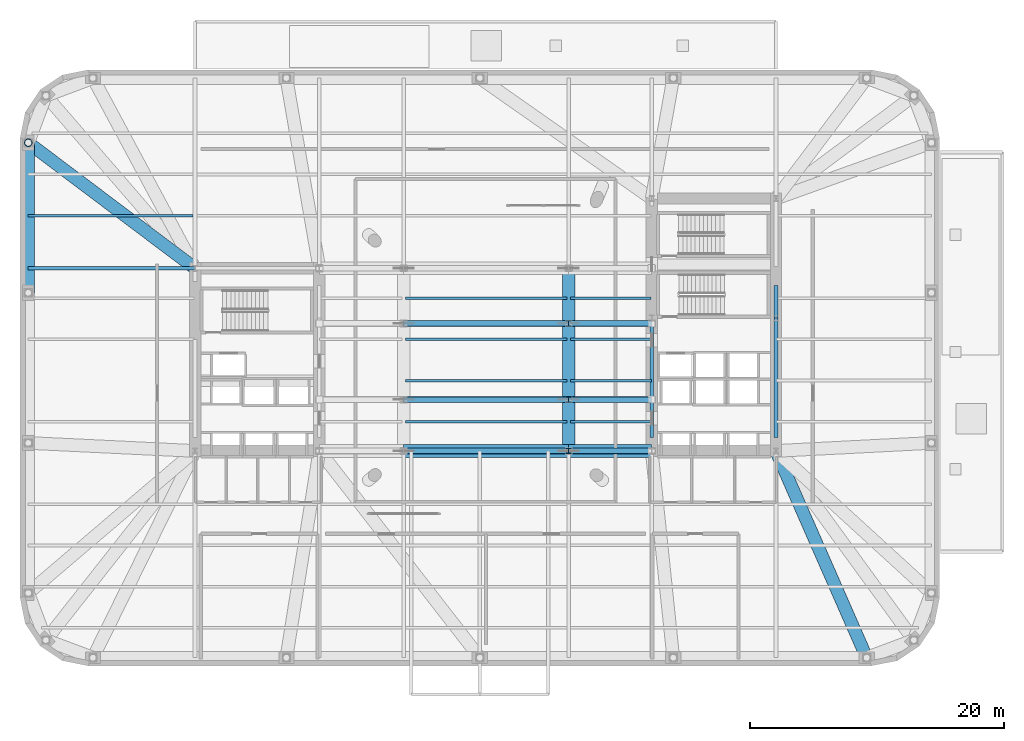
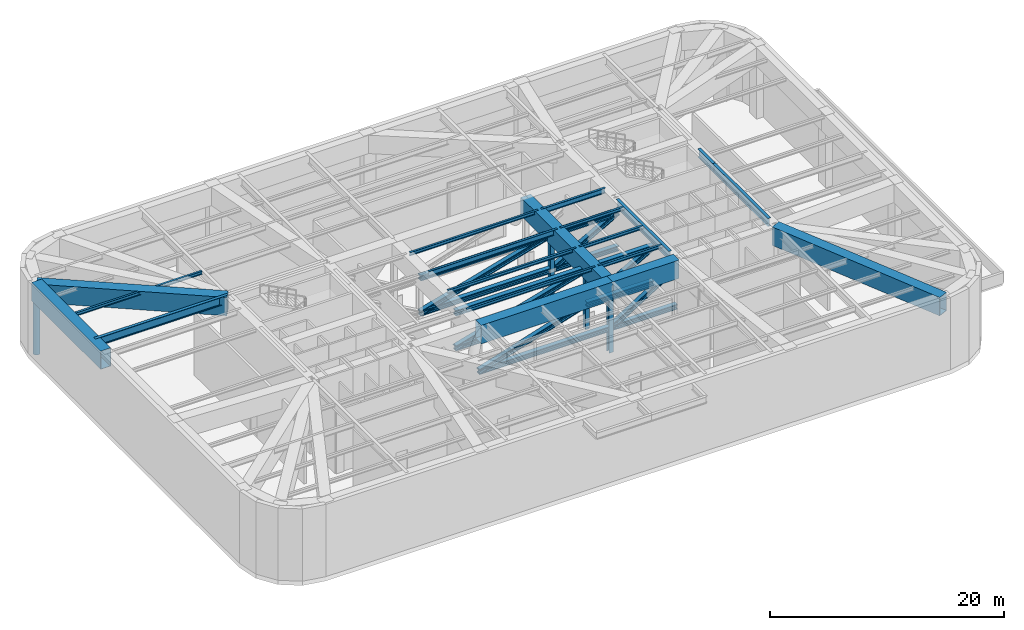
# One storey, part 4 of 15: 20 members, 19 beams.
"""IFC4 building model written with IfcOpenShell, lengths in metres."""

from ifc_helpers import new_model, si_unit, direction, frame, origin, origin_2d, place, context, subcontext, project, spatial, hollow_rectangle, hollow_circle, i_section, extrude, material, material_profile, profile_set, type_object, element, save


model = new_model("IFC4")

# Units and contexts
model_context = context("Model", 3, precision=1e-05, world=origin(), true_north=direction((0.0, 1.0)))
body_context = subcontext(model_context, "Body", "Model", "MODEL_VIEW")
ifc_project = project(units=[si_unit("LENGTHUNIT", "METRE"), si_unit("AREAUNIT", "SQUARE_METRE"), si_unit("VOLUMEUNIT", "CUBIC_METRE"), si_unit("PLANEANGLEUNIT", "RADIAN"), si_unit("MASSUNIT", "GRAM", prefix="KILO")], contexts=[model_context])

# Site, building, storey
site_placement = place(None, origin())
site = spatial("IfcSite", under=ifc_project, at=site_placement, CompositionType="ELEMENT")
building_placement = place(site_placement, origin())
building = spatial("IfcBuilding", under=site, at=building_placement, Name="Kolvaren Arena Tower", CompositionType="ELEMENT")
storey_placement = place(building_placement, frame((0.0, 0.0, 34.0)))
storey = spatial("IfcBuildingStorey", under=building, at=storey_placement, Name="L06", CompositionType="ELEMENT", Elevation=34.0)

# Beams
ifc_material_1 = material(Name="Steel CSA G40.21 350W", Category="steel")
ifc_material_profile_1 = material_profile(ifc_material_1, i_section(OverallWidth=0.2119140625, OverallDepth=0.54296875, WebThickness=0.01318359375, FlangeThickness=0.0244140625, FilletRadius=0.013916015625, at=origin_2d()), Name="W530x150")
ifc_profile_set_1 = profile_set([ifc_material_profile_1], Name="Steel CSA G40.21 350W")
beam_type_1 = type_object("IfcBeamType", Name="BEAM-F1", PredefinedType="BEAM", material=ifc_profile_set_1)
beam_1_placement = place(storey_placement, frame((31.14599609375, 28.25, 7.278564453125), z_axis=(1.0, 0.0, 0.0), x_axis=(0.0, 1.0, 0.0)))
element("IfcBeam", 1, at=beam_1_placement, inside=storey, type_object=beam_type_1, Name="Composite Floor Beam (L06)", PredefinedType="BEAM", context=body_context, shape_type="SweptSolid", body=[
    extrude(i_section(OverallWidth=0.2119140625, OverallDepth=0.54296875, WebThickness=0.01318359375, FlangeThickness=0.0244140625, FilletRadius=0.013916015625, at=origin_2d()), origin(), (0.0, 0.0, 1.0), 12.7080078125),
])
beam_2_placement = place(storey_placement, frame((44.14599609375, 31.5, 7.278564453125), z_axis=(1.0, 0.0, 0.0), x_axis=(0.0, 1.0, 0.0)))
element("IfcBeam", 2, at=beam_2_placement, inside=storey, type_object=beam_type_1, Name="Composite Floor Beam (L06)", PredefinedType="BEAM", context=body_context, shape_type="SweptSolid", body=[
    extrude(i_section(OverallWidth=0.2119140625, OverallDepth=0.54296875, WebThickness=0.01318359375, FlangeThickness=0.0244140625, FilletRadius=0.013916015625, at=origin_2d()), origin(), (0.0, 0.0, 1.0), 6.333984375),
])

# Member
ifc_material_2 = material(Name="Steel CSA G40.21 350WT", Category="steel")
ifc_material_profile_2 = material_profile(ifc_material_2, hollow_circle(Radius=0.304931640625, WallThickness=0.028076171875, at=origin_2d()), Name="CHS 610x28")
ifc_profile_set_2 = profile_set([ifc_material_profile_2], Name="Steel CSA G40.21 350WT")
member_type_1 = type_object("IfcMemberType", Name="EXO-STRUT1", PredefinedType="STRUT", material=ifc_profile_set_2)
member_1_placement = place(storey_placement, frame((1.39990234375, 43.75, 0.0), z_axis=(0.0, 0.0, 1.0), x_axis=(1.0, 0.0, 0.0)))
element("IfcMember", 3, at=member_1_placement, inside=storey, type_object=member_type_1, Name="B1 Transfer Exoskeleton Strut 18", PredefinedType="STRUT", context=body_context, shape_type="SweptSolid", body=[
    extrude(hollow_circle(Radius=0.304931640625, WallThickness=0.028076171875, at=origin_2d()), origin(), (0.0, 0.0, 1.0), 6.590087890625),
])

# Beams
ifc_material_profile_3 = material_profile(ifc_material_1, i_section(OverallWidth=0.2919921875, OverallDepth=0.85498046875, WebThickness=0.02099609375, FlangeThickness=0.03564453125, FilletRadius=0.01806640625, at=origin_2d()), Name="W840x299")
ifc_profile_set_3 = profile_set([ifc_material_profile_3], Name="Steel CSA G40.21 350W")
beam_type_2 = type_object("IfcBeamType", Name="GIRD-P1", PredefinedType="BEAM", material=ifc_profile_set_3)
beam_3_placement = place(storey_placement, frame((1.39990234375, 33.85009765625, 7.12255859375), z_axis=(1.0, 0.0, 0.0), x_axis=(0.0, 1.0, 0.0)))
element("IfcBeam", 4, at=beam_3_placement, inside=storey, type_object=beam_type_2, Name="Primary Floor Girder (L06)", PredefinedType="BEAM", context=body_context, shape_type="SweptSolid", body=[
    extrude(i_section(OverallWidth=0.2919921875, OverallDepth=0.85498046875, WebThickness=0.02099609375, FlangeThickness=0.03564453125, FilletRadius=0.01806640625, at=origin_2d()), origin(), (0.0, 0.0, 1.0), 13.150146484375),
])
beam_4_placement = place(storey_placement, frame((50.550048828125, 20.5, 7.12255859375), z_axis=(0.0, 1.0, 0.0), x_axis=(-1.0, 0.0, 0.0)))
element("IfcBeam", 5, at=beam_4_placement, inside=storey, type_object=beam_type_2, Name="Primary Floor Girder (L06)", PredefinedType="BEAM", context=body_context, shape_type="SweptSolid", body=[
    extrude(i_section(OverallWidth=0.2919921875, OverallDepth=0.85498046875, WebThickness=0.02099609375, FlangeThickness=0.03564453125, FilletRadius=0.01806640625, at=origin_2d()), origin(), (0.0, 0.0, 1.0), 8.989990234375),
])
beam_5_placement = place(storey_placement, frame((60.35009765625, 20.5, 7.12255859375), z_axis=(0.0, 1.0, 0.0), x_axis=(-1.0, 0.0, 0.0)))
element("IfcBeam", 6, at=beam_5_placement, inside=storey, type_object=beam_type_2, Name="Primary Floor Girder (L06)", PredefinedType="BEAM", context=body_context, shape_type="SweptSolid", body=[
    extrude(i_section(OverallWidth=0.2919921875, OverallDepth=0.85498046875, WebThickness=0.02099609375, FlangeThickness=0.03564453125, FilletRadius=0.01806640625, at=origin_2d()), origin(), (0.0, 0.0, 1.0), 9.449951171875),
])
beam_6_placement = place(storey_placement, frame((60.35009765625, 29.949951171875, 7.12255859375), z_axis=(0.0, 1.0, 0.0), x_axis=(-1.0, 0.0, 0.0)))
element("IfcBeam", 7, at=beam_6_placement, inside=storey, type_object=beam_type_2, Name="Primary Floor Girder (L06)", PredefinedType="BEAM", context=body_context, shape_type="SweptSolid", body=[
    extrude(i_section(OverallWidth=0.2919921875, OverallDepth=0.85498046875, WebThickness=0.02099609375, FlangeThickness=0.03564453125, FilletRadius=0.01806640625, at=origin_2d()), origin(), (0.0, 0.0, 1.0), 2.550048828125),
])
ifc_material_profile_4 = material_profile(ifc_material_1, i_section(OverallWidth=0.202880859375, OverallDepth=0.346923828125, WebThickness=0.0078125, FlangeThickness=0.013427734375, FilletRadius=0.010986328125, at=origin_2d()), Name="W360x64")
ifc_profile_set_4 = profile_set([ifc_material_profile_4], Name="Steel CSA G40.21 350W")
beam_type_3 = type_object("IfcBeamType", Name="JOIST-01", PredefinedType="JOIST", material=ifc_profile_set_4)
beam_7_placement = place(storey_placement, frame((31.14599609375, 21.75, 7.37646484375), z_axis=(1.0, 0.0, 0.0), x_axis=(0.0, 1.0, 0.0)))
element("IfcBeam", 8, at=beam_7_placement, inside=storey, type_object=beam_type_3, Name="Composite Floor Joist (L06)", PredefinedType="JOIST", context=body_context, shape_type="SweptSolid", body=[
    extrude(i_section(OverallWidth=0.202880859375, OverallDepth=0.346923828125, WebThickness=0.0078125, FlangeThickness=0.013427734375, FilletRadius=0.010986328125, at=origin_2d()), origin(), (0.0, 0.0, 1.0), 12.7080078125),
])
beam_8_placement = place(storey_placement, frame((44.14599609375, 21.75, 7.37646484375), z_axis=(1.0, 0.0, 0.0), x_axis=(0.0, 1.0, 0.0)))
element("IfcBeam", 9, at=beam_8_placement, inside=storey, type_object=beam_type_3, Name="Composite Floor Joist (L06)", PredefinedType="JOIST", context=body_context, shape_type="SweptSolid", body=[
    extrude(i_section(OverallWidth=0.202880859375, OverallDepth=0.346923828125, WebThickness=0.0078125, FlangeThickness=0.013427734375, FilletRadius=0.010986328125, at=origin_2d()), origin(), (0.0, 0.0, 1.0), 6.384033203125),
])
beam_9_placement = place(storey_placement, frame((31.14599609375, 25.0, 7.37646484375), z_axis=(1.0, 0.0, 0.0), x_axis=(0.0, 1.0, 0.0)))
element("IfcBeam", 10, at=beam_9_placement, inside=storey, type_object=beam_type_3, Name="Composite Floor Joist (L06)", PredefinedType="JOIST", context=body_context, shape_type="SweptSolid", body=[
    extrude(i_section(OverallWidth=0.202880859375, OverallDepth=0.346923828125, WebThickness=0.0078125, FlangeThickness=0.013427734375, FilletRadius=0.010986328125, at=origin_2d()), origin(), (0.0, 0.0, 1.0), 12.7080078125),
])
for number, where, z_axis, x_axis, name in (
    (11, (44.14599609375, 25.0, 7.37646484375), (1.0, 0.0, 0.0), (0.0, 1.0, 0.0), "Composite Floor Joist (L06)"),
    (12, (44.14599609375, 28.25, 7.37646484375), (1.0, 0.0, 0.0), (0.0, 1.0, 0.0), "Composite Floor Joist (L06)"),
):
    element("IfcBeam", number, at=place(storey_placement, frame(where, z_axis=z_axis, x_axis=x_axis)), inside=storey, type_object=beam_type_3, Name=name, PredefinedType="JOIST", context=body_context, shape_type="SweptSolid", body=[
        extrude(i_section(OverallWidth=0.202880859375, OverallDepth=0.346923828125, WebThickness=0.0078125, FlangeThickness=0.013427734375, FilletRadius=0.010986328125, at=origin_2d()), origin(), (0.0, 0.0, 1.0), 6.384033203125),
    ])
beam_10_placement = place(storey_placement, frame((31.14599609375, 31.5, 7.37646484375), z_axis=(1.0, 0.0, 0.0), x_axis=(0.0, 1.0, 0.0)))
element("IfcBeam", 13, at=beam_10_placement, inside=storey, type_object=beam_type_3, Name="Composite Floor Joist (L06)", PredefinedType="JOIST", context=body_context, shape_type="SweptSolid", body=[
    extrude(i_section(OverallWidth=0.202880859375, OverallDepth=0.346923828125, WebThickness=0.0078125, FlangeThickness=0.013427734375, FilletRadius=0.010986328125, at=origin_2d()), origin(), (0.0, 0.0, 1.0), 12.7080078125),
])
beam_11_placement = place(storey_placement, frame((1.39990234375, 38.0, 7.37646484375), z_axis=(1.0, 0.0, 0.0), x_axis=(0.0, 1.0, 0.0)))
element("IfcBeam", 14, at=beam_11_placement, inside=storey, type_object=beam_type_3, Name="Composite Floor Joist (L06)", PredefinedType="JOIST", context=body_context, shape_type="SweptSolid", body=[
    extrude(i_section(OverallWidth=0.202880859375, OverallDepth=0.346923828125, WebThickness=0.0078125, FlangeThickness=0.013427734375, FilletRadius=0.010986328125, at=origin_2d()), origin(), (0.0, 0.0, 1.0), 13.004150390625),
])

# Members
ifc_material_3 = material(Name="Steel ASTM A913 Grade 65", Category="steel")
ifc_material_profile_5 = material_profile(ifc_material_3, i_section(OverallWidth=0.44189453125, OverallDepth=0.531005859375, WebThickness=0.0654296875, FlangeThickness=0.10595703125, FilletRadius=0.02001953125, at=origin_2d()), Name="W360x900")
ifc_profile_set_5 = profile_set([ifc_material_profile_5], Name="Steel ASTM A913 Grade 65")
member_type_2 = type_object("IfcMemberType", Name="MCHORD-BOT", PredefinedType="CHORD", material=ifc_profile_set_5)
member_2_placement = place(storey_placement, frame((31.0, 19.449951171875, 2.5), z_axis=(1.0, 0.0, 0.0), x_axis=(0.0, 1.0, 0.0)))
element("IfcMember", 15, at=member_2_placement, inside=storey, type_object=member_type_2, Name="Mega-Transfer Truss 1 Bottom Chord", PredefinedType="CHORD", context=body_context, shape_type="SweptSolid", body=[
    extrude(i_section(OverallWidth=0.44189453125, OverallDepth=0.531005859375, WebThickness=0.0654296875, FlangeThickness=0.10595703125, FilletRadius=0.02001953125, at=origin_2d()), origin(), (0.0, 0.0, 1.0), 13.0),
])
member_3_placement = place(storey_placement, frame((44.0, 19.449951171875, 2.5), z_axis=(1.0, 0.0, 0.0), x_axis=(0.0, 1.0, 0.0)))
element("IfcMember", 16, at=member_3_placement, inside=storey, type_object=member_type_2, Name="Mega-Transfer Truss 1 Bottom Chord", PredefinedType="CHORD", context=body_context, shape_type="SweptSolid", body=[
    extrude(i_section(OverallWidth=0.44189453125, OverallDepth=0.531005859375, WebThickness=0.0654296875, FlangeThickness=0.10595703125, FilletRadius=0.02001953125, at=origin_2d()), origin(), (0.0, 0.0, 1.0), 6.550048828125),
])
member_4_placement = place(storey_placement, frame((31.0, 23.5, 2.5), z_axis=(1.0, 0.0, 0.0), x_axis=(0.0, 1.0, 0.0)))
element("IfcMember", 17, at=member_4_placement, inside=storey, type_object=member_type_2, Name="Mega-Transfer Truss 2 Bottom Chord", PredefinedType="CHORD", context=body_context, shape_type="SweptSolid", body=[
    extrude(i_section(OverallWidth=0.44189453125, OverallDepth=0.531005859375, WebThickness=0.0654296875, FlangeThickness=0.10595703125, FilletRadius=0.02001953125, at=origin_2d()), origin(), (0.0, 0.0, 1.0), 13.0),
])
member_5_placement = place(storey_placement, frame((44.0, 23.5, 2.5), z_axis=(1.0, 0.0, 0.0), x_axis=(0.0, 1.0, 0.0)))
element("IfcMember", 18, at=member_5_placement, inside=storey, type_object=member_type_2, Name="Mega-Transfer Truss 2 Bottom Chord", PredefinedType="CHORD", context=body_context, shape_type="SweptSolid", body=[
    extrude(i_section(OverallWidth=0.44189453125, OverallDepth=0.531005859375, WebThickness=0.0654296875, FlangeThickness=0.10595703125, FilletRadius=0.02001953125, at=origin_2d()), origin(), (0.0, 0.0, 1.0), 6.550048828125),
])
member_6_placement = place(storey_placement, frame((31.0, 29.5, 2.5), z_axis=(1.0, 0.0, 0.0), x_axis=(0.0, 1.0, 0.0)))
element("IfcMember", 19, at=member_6_placement, inside=storey, type_object=member_type_2, Name="Mega-Transfer Truss 3 Bottom Chord", PredefinedType="CHORD", context=body_context, shape_type="SweptSolid", body=[
    extrude(i_section(OverallWidth=0.44189453125, OverallDepth=0.531005859375, WebThickness=0.0654296875, FlangeThickness=0.10595703125, FilletRadius=0.02001953125, at=origin_2d()), origin(), (0.0, 0.0, 1.0), 13.0),
])
member_7_placement = place(storey_placement, frame((44.0, 29.5, 2.5), z_axis=(1.0, 0.0, 0.0), x_axis=(0.0, 1.0, 0.0)))
element("IfcMember", 20, at=member_7_placement, inside=storey, type_object=member_type_2, Name="Mega-Transfer Truss 3 Bottom Chord", PredefinedType="CHORD", context=body_context, shape_type="SweptSolid", body=[
    extrude(i_section(OverallWidth=0.44189453125, OverallDepth=0.531005859375, WebThickness=0.0654296875, FlangeThickness=0.10595703125, FilletRadius=0.02001953125, at=origin_2d()), origin(), (0.0, 0.0, 1.0), 6.550048828125),
])
ifc_material_profile_6 = material_profile(ifc_material_3, i_section(OverallWidth=0.4541015625, OverallDepth=0.569091796875, WebThickness=0.077880859375, FlangeThickness=0.125, FilletRadius=0.02001953125, at=origin_2d()), Name="W360x1086")
ifc_profile_set_6 = profile_set([ifc_material_profile_6], Name="Steel ASTM A913 Grade 65")
member_type_3 = type_object("IfcMemberType", Name="MCHORD-TOP", PredefinedType="CHORD", material=ifc_profile_set_6)
member_8_placement = place(storey_placement, frame((31.0, 23.5, 6.18994140625), z_axis=(1.0, 0.0, 0.0), x_axis=(0.0, 1.0, 0.0)))
element("IfcMember", 21, at=member_8_placement, inside=storey, type_object=member_type_3, Name="Mega-Transfer Truss 2 Top Chord", PredefinedType="CHORD", context=body_context, shape_type="SweptSolid", body=[
    extrude(i_section(OverallWidth=0.4541015625, OverallDepth=0.569091796875, WebThickness=0.077880859375, FlangeThickness=0.125, FilletRadius=0.02001953125, at=origin_2d()), origin(), (0.0, 0.0, 1.0), 13.0),
])
member_9_placement = place(storey_placement, frame((44.0, 23.5, 6.18994140625), z_axis=(1.0, 0.0, 0.0), x_axis=(0.0, 1.0, 0.0)))
element("IfcMember", 22, at=member_9_placement, inside=storey, type_object=member_type_3, Name="Mega-Transfer Truss 2 Top Chord", PredefinedType="CHORD", context=body_context, shape_type="SweptSolid", body=[
    extrude(i_section(OverallWidth=0.4541015625, OverallDepth=0.569091796875, WebThickness=0.077880859375, FlangeThickness=0.125, FilletRadius=0.02001953125, at=origin_2d()), origin(), (0.0, 0.0, 1.0), 6.550048828125),
])
member_10_placement = place(storey_placement, frame((31.0, 29.5, 6.18994140625), z_axis=(1.0, 0.0, 0.0), x_axis=(0.0, 1.0, 0.0)))
element("IfcMember", 23, at=member_10_placement, inside=storey, type_object=member_type_3, Name="Mega-Transfer Truss 3 Top Chord", PredefinedType="CHORD", context=body_context, shape_type="SweptSolid", body=[
    extrude(i_section(OverallWidth=0.4541015625, OverallDepth=0.569091796875, WebThickness=0.077880859375, FlangeThickness=0.125, FilletRadius=0.02001953125, at=origin_2d()), origin(), (0.0, 0.0, 1.0), 13.0),
])
member_11_placement = place(storey_placement, frame((44.0, 29.5, 6.18994140625), z_axis=(1.0, 0.0, 0.0), x_axis=(0.0, 1.0, 0.0)))
element("IfcMember", 24, at=member_11_placement, inside=storey, type_object=member_type_3, Name="Mega-Transfer Truss 3 Top Chord", PredefinedType="CHORD", context=body_context, shape_type="SweptSolid", body=[
    extrude(i_section(OverallWidth=0.4541015625, OverallDepth=0.569091796875, WebThickness=0.077880859375, FlangeThickness=0.125, FilletRadius=0.02001953125, at=origin_2d()), origin(), (0.0, 0.0, 1.0), 6.550048828125),
])
ifc_material_profile_7 = material_profile(ifc_material_3, i_section(OverallWidth=0.431884765625, OverallDepth=0.498046875, WebThickness=0.0556640625, FlangeThickness=0.0888671875, FilletRadius=0.02001953125, at=origin_2d()), Name="W360x744")
ifc_profile_set_7 = profile_set([ifc_material_profile_7], Name="Steel ASTM A913 Grade 65")
member_type_4 = type_object("IfcMemberType", Name="MDIAG-01", PredefinedType="BRACE", material=ifc_profile_set_7)
member_12_placement = place(storey_placement, frame((31.0, 19.449951171875, 2.5), z_axis=(0.953901877922, 0.0, 0.300118655364), x_axis=(0.0, 1.0, 0.0)))
element("IfcMember", 25, at=member_12_placement, inside=storey, type_object=member_type_4, Name="Mega-Transfer Truss 1 Web Diagonal", PredefinedType="BRACE", context=body_context, shape_type="SweptSolid", body=[
    extrude(i_section(OverallWidth=0.431884765625, OverallDepth=0.498046875, WebThickness=0.0556640625, FlangeThickness=0.0888671875, FilletRadius=0.02001953125, at=origin_2d()), origin(), (0.0, 0.0, 1.0), 13.628173828125),
])
member_13_placement = place(storey_placement, frame((44.0, 19.449951171875, 2.5), z_axis=(0.848213148869, 0.0, 0.529655033098), x_axis=(0.0, 1.0, 0.0)))
element("IfcMember", 26, at=member_13_placement, inside=storey, type_object=member_type_4, Name="Mega-Transfer Truss 1 Web Diagonal", PredefinedType="BRACE", context=body_context, shape_type="SweptSolid", body=[
    extrude(i_section(OverallWidth=0.431884765625, OverallDepth=0.498046875, WebThickness=0.0556640625, FlangeThickness=0.0888671875, FilletRadius=0.02001953125, at=origin_2d()), origin(), (0.0, 0.0, 1.0), 7.72216796875),
])
member_14_placement = place(storey_placement, frame((31.0, 23.5, 2.5), z_axis=(0.961998366684, 0.0, 0.273055200459), x_axis=(0.0, 1.0, 0.0)))
element("IfcMember", 27, at=member_14_placement, inside=storey, type_object=member_type_4, Name="Mega-Transfer Truss 2 Web Diagonal", PredefinedType="BRACE", context=body_context, shape_type="SweptSolid", body=[
    extrude(i_section(OverallWidth=0.431884765625, OverallDepth=0.498046875, WebThickness=0.0556640625, FlangeThickness=0.0888671875, FilletRadius=0.02001953125, at=origin_2d()), origin(), (0.0, 0.0, 1.0), 13.513427734375),
])
member_15_placement = place(storey_placement, frame((44.0, 23.5, 2.5), z_axis=(0.87126053708, 0.0, 0.490820819167), x_axis=(0.0, 1.0, 0.0)))
element("IfcMember", 28, at=member_15_placement, inside=storey, type_object=member_type_4, Name="Mega-Transfer Truss 2 Web Diagonal", PredefinedType="BRACE", context=body_context, shape_type="SweptSolid", body=[
    extrude(i_section(OverallWidth=0.431884765625, OverallDepth=0.498046875, WebThickness=0.0556640625, FlangeThickness=0.0888671875, FilletRadius=0.02001953125, at=origin_2d()), origin(), (0.0, 0.0, 1.0), 7.517822265625),
])
member_16_placement = place(storey_placement, frame((31.0, 29.5, 2.5), z_axis=(0.961998366684, 0.0, 0.273055200459), x_axis=(0.0, 1.0, 0.0)))
element("IfcMember", 29, at=member_16_placement, inside=storey, type_object=member_type_4, Name="Mega-Transfer Truss 3 Web Diagonal", PredefinedType="BRACE", context=body_context, shape_type="SweptSolid", body=[
    extrude(i_section(OverallWidth=0.431884765625, OverallDepth=0.498046875, WebThickness=0.0556640625, FlangeThickness=0.0888671875, FilletRadius=0.02001953125, at=origin_2d()), origin(), (0.0, 0.0, 1.0), 13.513427734375),
])
member_17_placement = place(storey_placement, frame((44.0, 29.5, 2.5), z_axis=(0.87126053708, 0.0, 0.490820819167), x_axis=(0.0, 1.0, 0.0)))
element("IfcMember", 30, at=member_17_placement, inside=storey, type_object=member_type_4, Name="Mega-Transfer Truss 3 Web Diagonal", PredefinedType="BRACE", context=body_context, shape_type="SweptSolid", body=[
    extrude(i_section(OverallWidth=0.431884765625, OverallDepth=0.498046875, WebThickness=0.0556640625, FlangeThickness=0.0888671875, FilletRadius=0.02001953125, at=origin_2d()), origin(), (0.0, 0.0, 1.0), 7.517822265625),
])
ifc_material_profile_8 = material_profile(ifc_material_3, i_section(OverallWidth=0.41796875, OverallDepth=0.455078125, WebThickness=0.0419921875, FlangeThickness=0.067626953125, FilletRadius=0.02001953125, at=origin_2d()), Name="W360x551")
ifc_profile_set_8 = profile_set([ifc_material_profile_8], Name="Steel ASTM A913 Grade 65")
member_type_5 = type_object("IfcMemberType", Name="MPOST-01", PredefinedType="POST", material=ifc_profile_set_8)
for number, where, z_axis, x_axis, name in (
    (31, (44.0, 19.449951171875, 0.0), (0.0, 0.0, 1.0), (1.0, 0.0, 0.0), "Mega-Transfer Truss 1 Vertical Post"),
    (32, (44.0, 23.5, 0.0), (0.0, 0.0, 1.0), (1.0, 0.0, 0.0), "Mega-Transfer Truss 2 Vertical Post"),
    (33, (44.0, 29.5, 0.0), (0.0, 0.0, 1.0), (1.0, 0.0, 0.0), "Mega-Transfer Truss 3 Vertical Post"),
):
    element("IfcMember", number, at=place(storey_placement, frame(where, z_axis=z_axis, x_axis=x_axis)), inside=storey, type_object=member_type_5, Name=name, PredefinedType="POST", context=body_context, shape_type="SweptSolid", body=[
        extrude(i_section(OverallWidth=0.41796875, OverallDepth=0.455078125, WebThickness=0.0419921875, FlangeThickness=0.067626953125, FilletRadius=0.02001953125, at=origin_2d()), origin(), (0.0, 0.0, 1.0), 6.239990234375),
    ])

# Beams
ifc_material_profile_9 = material_profile(ifc_material_2, hollow_rectangle(XDim=1.0, YDim=1.919921875, WallThickness=0.044921875, at=origin_2d()), Name="BOX 1000x1920x45")
ifc_profile_set_9 = profile_set([ifc_material_profile_9], Name="Steel CSA G40.21 350WT")
beam_type_4 = type_object("IfcBeamType", Name="TG-MEGA", PredefinedType="USERDEFINED", material=ifc_profile_set_9)
beam_12_placement = place(storey_placement, frame((67.5, 3.14990234375, 6.590087890625), z_axis=(-0.401697216081, 0.91577254086, 0.0), x_axis=(-0.91577254086, -0.401697216081, 0.0)))
element("IfcBeam", 34, at=beam_12_placement, inside=storey, type_object=beam_type_4, Name="B1 Cantilever Radial Transfer Girder 05", ObjectType="TRANSFER GIRDER", PredefinedType="USERDEFINED", context=body_context, shape_type="SweptSolid", body=[
    extrude(hollow_rectangle(XDim=1.0, YDim=1.919921875, WallThickness=0.044921875, at=origin_2d()), origin(), (0.0, 0.0, 1.0), 17.79931640625),
])
beam_13_placement = place(storey_placement, frame((1.39990234375, 43.75, 6.590087890625), z_axis=(0.0, -1.0, 0.0), x_axis=(1.0, 0.0, 0.0)))
element("IfcBeam", 35, at=beam_13_placement, inside=storey, type_object=beam_type_4, Name="B1 Perimeter Transfer Ring Girder 18", ObjectType="TRANSFER GIRDER", PredefinedType="USERDEFINED", context=body_context, shape_type="SweptSolid", body=[
    extrude(hollow_rectangle(XDim=1.0, YDim=1.919921875, WallThickness=0.044921875, at=origin_2d()), origin(), (0.0, 0.0, 1.0), 11.833251953125),
])
beam_14_placement = place(storey_placement, frame((1.39990234375, 43.75, 6.590087890625), z_axis=(0.798911183044, -0.601449018295, 0.0), x_axis=(0.601449018295, 0.798911183044, 0.0)))
element("IfcBeam", 36, at=beam_14_placement, inside=storey, type_object=beam_type_4, Name="B1 Cantilever Radial Transfer Girder 18", ObjectType="TRANSFER GIRDER", PredefinedType="USERDEFINED", context=body_context, shape_type="SweptSolid", body=[
    extrude(hollow_rectangle(XDim=1.0, YDim=1.919921875, WallThickness=0.044921875, at=origin_2d()), origin(), (0.0, 0.0, 1.0), 16.460205078125),
])
beam_15_placement = place(storey_placement, frame((44.0, 19.449951171875, 6.570068359375), z_axis=(0.0, 1.0, 0.0), x_axis=(-1.0, 0.0, 0.0)))
element("IfcBeam", 37, at=beam_15_placement, inside=storey, type_object=beam_type_4, Name="Mega-Transfer Transverse Girder 2", ObjectType="TRANSFER GIRDER", PredefinedType="USERDEFINED", context=body_context, shape_type="SweptSolid", body=[
    extrude(hollow_rectangle(XDim=1.0, YDim=1.919921875, WallThickness=0.044921875, at=origin_2d()), origin(), (0.0, 0.0, 1.0), 14.400146484375),
])
beam_16_placement = place(storey_placement, frame((31.0, 19.449951171875, 6.590087890625), z_axis=(1.0, 0.0, 0.0), x_axis=(0.0, 1.0, 0.0)))
element("IfcBeam", 38, at=beam_16_placement, inside=storey, type_object=beam_type_4, Name="Mega-Transfer Truss 1 Top Transfer Girder", ObjectType="TRANSFER GIRDER", PredefinedType="USERDEFINED", context=body_context, shape_type="SweptSolid", body=[
    extrude(hollow_rectangle(XDim=1.0, YDim=1.919921875, WallThickness=0.044921875, at=origin_2d()), origin(), (0.0, 0.0, 1.0), 13.0),
])
beam_17_placement = place(storey_placement, frame((44.0, 19.449951171875, 6.590087890625), z_axis=(1.0, 0.0, 0.0), x_axis=(0.0, 1.0, 0.0)))
element("IfcBeam", 39, at=beam_17_placement, inside=storey, type_object=beam_type_4, Name="Mega-Transfer Truss 1 Top Transfer Girder", ObjectType="TRANSFER GIRDER", PredefinedType="USERDEFINED", context=body_context, shape_type="SweptSolid", body=[
    extrude(hollow_rectangle(XDim=1.0, YDim=1.919921875, WallThickness=0.044921875, at=origin_2d()), origin(), (0.0, 0.0, 1.0), 6.550048828125),
])

save(model, "model.ifc")
